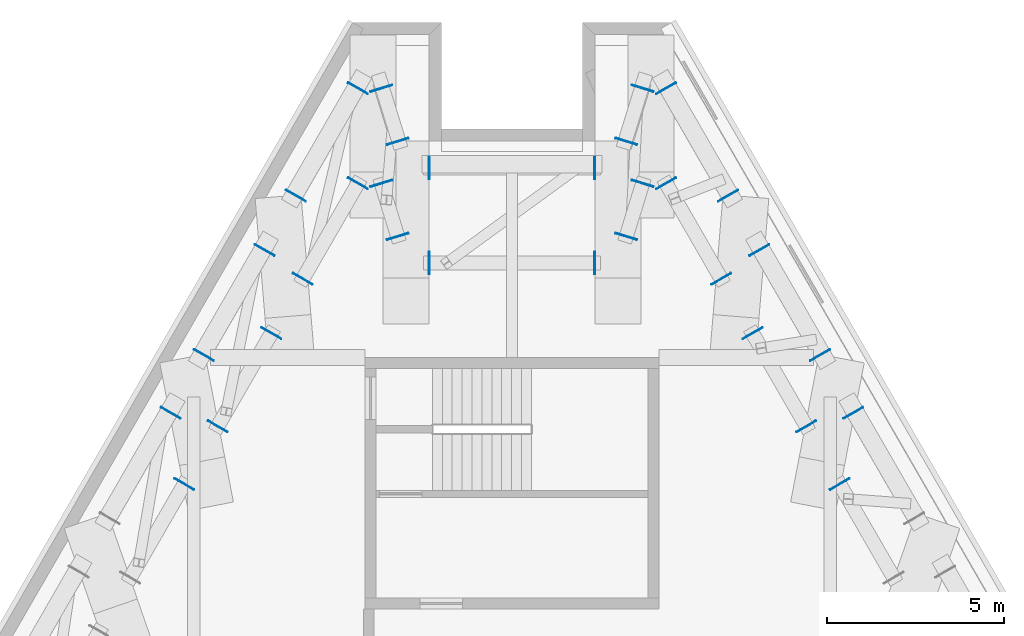
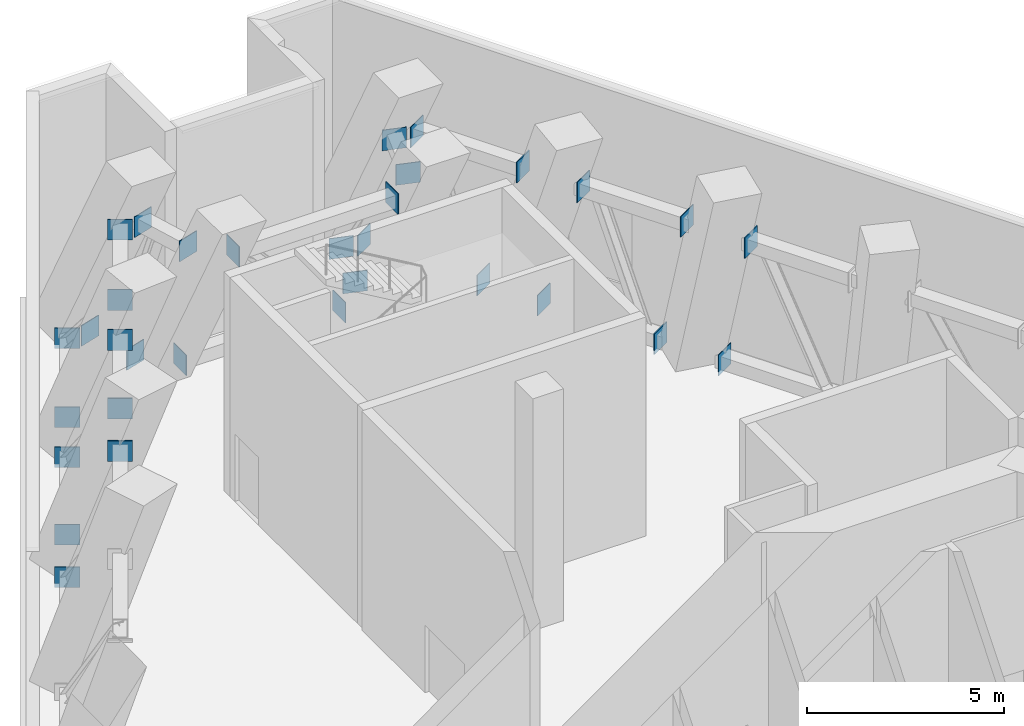
# One storey, part 12 of 13: 32 discrete accessories.
"""IFC4 building model written with IfcOpenShell, lengths in metres."""

import ifcopenshell
import ifcopenshell.guid

model = None  # the IFC model being written
_history = None  # IfcOwnerHistory: only IFC2X3 demands one
_inside = {}  # id of a spatial element -> (the spatial element, [elements in it])
_under = {}  # id of a project, library or spatial element -> (it, [spatial elements below it])
_declared = {}  # id of a project -> (the project, [libraries it declares])
_typed = {}  # id of a type object -> (the type object, [elements of that type])
_made_of = {}  # id of a material, layer set ... -> (it, [elements and type objects made of it])


def new_model(schema):
    """Start an empty IFC model of exactly this schema.

    Asked for "IFC4X3", IfcOpenShell would pick the latest addendum, in which some entities
    have other attributes; the version numbers below select the first issue.
    IFC2X3 requires an IfcOwnerHistory on every rooted entity: one is made here for all.
    """
    global model, _history
    if schema == "IFC4X3":
        model = ifcopenshell.file(schema_version=(4, 3, 0, 0))
    else:
        model = ifcopenshell.file(schema=schema)
    _inside.clear()
    _under.clear()
    _declared.clear()
    _typed.clear()
    _made_of.clear()
    _history = None
    if model.schema == "IFC2X3":
        org = make("IfcOrganization", Name="unknown")
        user = make(
            "IfcPersonAndOrganization",
            ThePerson=make("IfcPerson", FamilyName="unknown"),
            TheOrganization=org,
        )
        app = make(
            "IfcApplication",
            ApplicationDeveloper=org,
            Version="unknown",
            ApplicationFullName="unknown",
            ApplicationIdentifier="unknown",
        )
        _history = make(
            "IfcOwnerHistory",
            OwningUser=user,
            OwningApplication=app,
            ChangeAction="ADDED",
            CreationDate=0,
        )
    return model


def make(cls, **values):
    """One entity of the class cls with the attributes given. An attribute that is None is left unset."""
    return model.create_entity(
        cls, **{name: value for name, value in values.items() if value is not None}
    )


def rooted(cls, **values):
    """An entity with a GlobalId (a new one), such as an element, a storey or a relation."""
    return make(cls, GlobalId=ifcopenshell.guid.new(), OwnerHistory=_history, **values)


def si_unit(unit_type, name, prefix=None):
    """IfcSIUnit, for example si_unit("LENGTHUNIT", "METRE", prefix="MILLI")."""
    return make("IfcSIUnit", UnitType=unit_type, Prefix=prefix, Name=name)


def assignment(units):
    """IfcUnitAssignment: the units of a project."""
    return None if units is None else make("IfcUnitAssignment", Units=units)


def point(xyz):
    """IfcCartesianPoint."""
    return None if xyz is None else make("IfcCartesianPoint", Coordinates=xyz)


def direction(xyz):
    """IfcDirection."""
    return None if xyz is None else make("IfcDirection", DirectionRatios=xyz)


def frame(location, z_axis=None, x_axis=None):
    """IfcAxis2Placement3D, a coordinate frame: its origin and axes. An axis left out is left unset."""
    return make(
        "IfcAxis2Placement3D",
        Location=point(location),
        Axis=direction(z_axis),
        RefDirection=direction(x_axis),
    )


def frame_2d(location, x_axis=None):
    """IfcAxis2Placement2D, a coordinate frame in the plane: its origin and x axis."""
    return make(
        "IfcAxis2Placement2D", Location=point(location), RefDirection=direction(x_axis)
    )


def origin():
    """The frame at (0, 0, 0) with its axes left unset."""
    return frame((0.0, 0.0, 0.0))


def origin_2d():
    """The frame at (0, 0) in the plane with its x axis left unset."""
    return frame_2d((0.0, 0.0))


def place(relative_to, where):
    """IfcLocalPlacement: puts the frame where relative to a parent placement (None: the world)."""
    return make(
        "IfcLocalPlacement", PlacementRelTo=relative_to, RelativePlacement=where
    )


def context(
    kind, dimensions, precision=None, world=None, true_north=None, identifier=None
):
    """IfcGeometricRepresentationContext, for example the 3D "Model" context."""
    return make(
        "IfcGeometricRepresentationContext",
        ContextIdentifier=identifier,
        ContextType=kind,
        CoordinateSpaceDimension=dimensions,
        Precision=precision,
        WorldCoordinateSystem=world,
        TrueNorth=true_north,
    )


def subcontext(parent, identifier, kind, view, scale=None):
    """IfcGeometricRepresentationSubContext, for example "Body" below "Model"."""
    return make(
        "IfcGeometricRepresentationSubContext",
        ContextIdentifier=identifier,
        ContextType=kind,
        ParentContext=parent,
        TargetScale=scale,
        TargetView=view,
    )


def project(units=None, contexts=None):
    """IfcProject with its units and contexts."""
    return rooted(
        "IfcProject",
        Name="project",
        RepresentationContexts=contexts,
        UnitsInContext=assignment(units),
    )


def spatial(cls, under=None, at=None, **own):
    """A site, building, storey or space (cls), placed at a placement, below another one or the project."""
    s = rooted(cls, ObjectPlacement=at, **own)
    if under is not None:
        _under.setdefault(under.id(), (under, []))[1].append(s)
    return s


def profile(cls, at=None, kind="AREA", **sizes):
    """A parametric profile (cls). Its sizes go by their IFC names, for example OverallWidth=200.0."""
    return make(cls, ProfileType=kind, Position=at, **sizes)


def rectangle(**sizes):
    """IfcRectangleProfileDef."""
    return profile("IfcRectangleProfileDef", **sizes)


def extrude(swept, where, along, depth):
    """IfcExtrudedAreaSolid: the profile swept, set in the frame where, extruded along a direction by depth."""
    return make(
        "IfcExtrudedAreaSolid",
        SweptArea=swept,
        Position=where,
        ExtrudedDirection=direction(along),
        Depth=depth,
    )


def shape(context_of_items, identifier, shape_type, items):
    """IfcShapeRepresentation: the items that make up one representation, for example the "Body"."""
    return make(
        "IfcShapeRepresentation",
        ContextOfItems=context_of_items,
        RepresentationIdentifier=identifier,
        RepresentationType=shape_type,
        Items=items,
    )


def material(Name=None, Category=None):
    """IfcMaterial."""
    return make("IfcMaterial", Name=Name, Category=Category)


def layer(
    of_material, thickness, ventilated=None, Name=None, Category=None, Priority=None
):
    """IfcMaterialLayer: one layer of a wall or slab, of a material (None: an air gap)."""
    return make(
        "IfcMaterialLayer",
        Material=of_material,
        LayerThickness=thickness,
        IsVentilated=ventilated,
        Name=Name,
        Category=Category,
        Priority=Priority,
    )


def layer_set(layers, Name=None):
    """IfcMaterialLayerSet."""
    return make("IfcMaterialLayerSet", MaterialLayers=layers, LayerSetName=Name)


def made_of(thing, what):
    """Note that an element or type object is made of a material, layer set ...; save() writes the relation."""
    if what is not None:
        _made_of.setdefault(what.id(), (what, []))[1].append(thing)
    return thing


def type_object(cls, material=None, **own):
    """A type object (cls), such as IfcWallType, which elements share."""
    return made_of(rooted(cls, **own), material)


def element(
    cls,
    number,
    at=None,
    inside=None,
    cuts=None,
    type_object=None,
    material=None,
    context=None,
    identifier="Body",
    shape_type=None,
    held_by="IfcProductDefinitionShape",
    body=None,
    shapes=None,
    **own,
):
    """One element of the class cls, such as IfcWall. Its Tag is "e" and its number.

    at: its placement. inside: the storey or other place that contains it. cuts: it is an
    opening in that element (IfcRelVoidsElement). A single representation is given by context,
    identifier, shape_type and body (its items); several are given by shapes. held_by: the class
    of the entity that holds the representations. save() writes the other relations.
    """
    e = rooted(cls, Tag="e%d" % number, ObjectPlacement=at, **own)
    if body is not None:
        shapes = [shape(context, identifier, shape_type, body)]
    if shapes is not None:
        e.Representation = make(held_by, Representations=shapes)
    if inside is not None:
        _inside.setdefault(inside.id(), (inside, []))[1].append(e)
    if cuts is not None:
        rooted(
            "IfcRelVoidsElement", RelatingBuildingElement=cuts, RelatedOpeningElement=e
        )
    if type_object is not None:
        _typed.setdefault(type_object.id(), (type_object, []))[1].append(e)
    return made_of(e, material)


def aggregate(whole, parts):
    """IfcRelAggregates: a whole, such as a stair, and the parts it consists of."""
    return rooted("IfcRelAggregates", RelatingObject=whole, RelatedObjects=parts)


def save(model, path):
    """Write the relations noted so far, then the file.

    IfcRelAggregates (storeys below a building ...), IfcRelContainedInSpatialStructure (elements
    in a storey), IfcRelDefinesByType, IfcRelAssociatesMaterial and IfcRelDeclares: one each for
    every whole, place, type object, material and project.
    """
    for whole, parts in _under.values():
        aggregate(whole, parts)
    for where, things in _inside.values():
        rooted(
            "IfcRelContainedInSpatialStructure",
            RelatedElements=things,
            RelatingStructure=where,
        )
    for kind, things in _typed.values():
        rooted("IfcRelDefinesByType", RelatedObjects=things, RelatingType=kind)
    for what, things in _made_of.values():
        rooted("IfcRelAssociatesMaterial", RelatedObjects=things, RelatingMaterial=what)
    for by, libraries in _declared.values():
        rooted("IfcRelDeclares", RelatingContext=by, RelatedDefinitions=libraries)
    model.write(path)


model = new_model("IFC4")

# Units and contexts
model_context = context("Model", 3, precision=1e-05, world=origin(), true_north=direction((0.0, 1.0)))
body_context = subcontext(model_context, "Body", "Model", "MODEL_VIEW")
ifc_project = project(units=[si_unit("LENGTHUNIT", "METRE"), si_unit("AREAUNIT", "SQUARE_METRE"), si_unit("VOLUMEUNIT", "CUBIC_METRE"), si_unit("PLANEANGLEUNIT", "RADIAN"), si_unit("MASSUNIT", "GRAM", prefix="KILO")], contexts=[model_context])

# Site, building, storey
site_placement = place(None, origin())
site = spatial("IfcSite", under=ifc_project, at=site_placement, CompositionType="ELEMENT")
building_placement = place(site_placement, origin())
building = spatial("IfcBuilding", under=site, at=building_placement, Name="Fogline Exchange Tower", CompositionType="ELEMENT")
storey_placement = place(building_placement, frame((0.0, 0.0, 259.5)))
storey = spatial("IfcBuildingStorey", under=building, at=storey_placement, Name="L59", CompositionType="ELEMENT", Elevation=259.5)

# Discrete accessories
ifc_material = material(Name="Steel Q355B", Category="steel")
ifc_layer = layer(ifc_material, 0.02490234375)
ifc_layer_set = layer_set([ifc_layer], Name="BE03")
discrete_accessory_type = type_object("IfcDiscreteAccessoryType", Name="BE03", PredefinedType="USERDEFINED", material=ifc_layer_set)
for number, where, z_axis, x_axis, name in (
    (1, (9.651123046875, 34.297119140625, -0.1201171875), (0.0, 0.0, 1.0), (-0.5, 0.866025403784, 0.0), "Belt truss chord end plate BT13-1-BC"),
    (2, (9.26318359375, 32.281494140625, 4.8798828125), (0.0, 0.0, 1.0), (-0.5, 0.866025403784, 0.0), "Belt truss chord end plate BT13-1-TC"),
    (3, (8.708984375, 35.9287109375, -0.1201171875), (0.0, 0.0, 1.0), (0.5, -0.866025403784, 0.0), "Belt truss chord end plate BT14-1-BC"),
    (4, (6.994873046875, 38.89794921875, -0.1201171875), (0.0, 0.0, 1.0), (-0.5, 0.866025403784, 0.0), "Belt truss chord end plate BT14-1-BC"),
    (5, (8.3212890625, 33.9130859375, 4.8798828125), (0.0, 0.0, 1.0), (0.5, -0.866025403784, 0.0), "Belt truss chord end plate BT14-1-TC"),
    (6, (6.80078125, 36.54638671875, 4.8798828125), (0.0, 0.0, 1.0), (-0.5, 0.866025403784, 0.0), "Belt truss chord end plate BT14-1-TC"),
    (7, (6.10791015625, 40.43408203125, -0.1201171875), (0.0, 0.0, 1.0), (0.5, -0.866025403784, 0.0), "Belt truss chord end plate BT15-1-BC"),
    (8, (4.35498046875, 43.470458984375, -0.1201171875), (0.0, 0.0, 1.0), (-0.5, 0.866025403784, 0.0), "Belt truss chord end plate BT15-1-BC"),
    (9, (5.9140625, 38.08251953125, 4.8798828125), (0.0, 0.0, 1.0), (0.5, -0.866025403784, 0.0), "Belt truss chord end plate BT15-1-TC"),
    (10, (4.35498046875, 40.782958984375, 4.8798828125), (0.0, 0.0, 1.0), (-0.5, 0.866025403784, 0.0), "Belt truss chord end plate BT15-1-TC"),
    (11, (3.69189453125, 43.46923828125, -0.1201171875), (0.0, 0.0, 1.0), (0.293961920088, 0.95581713185, 0.0), "Belt truss chord end plate BT16-1-BC"),
    (12, (3.230712890625, 41.968994140625, -0.1201171875), (0.0, 0.0, 1.0), (-0.293961920088, -0.95581713185, 0.0), "Belt truss chord end plate BT16-1-BC"),
    (13, (3.69189453125, 40.78173828125, 4.8798828125), (0.0, 0.0, 1.0), (0.293961920088, 0.95581713185, 0.0), "Belt truss chord end plate BT16-1-TC"),
    (14, (3.230712890625, 39.281494140625, 4.8798828125), (0.0, 0.0, 1.0), (-0.293961920088, -0.95581713185, 0.0), "Belt truss chord end plate BT16-1-TC"),
    (15, (2.33740234375, 41.21923828125, -0.1201171875), (0.0, 0.0, 1.0), (1.0, 0.0, 0.0), "Belt truss chord end plate BT17-1-BC"),
    (16, (-2.33740234375, 41.21923828125, -0.1201171875), (0.0, 0.0, 1.0), (-1.0, 0.0, 0.0), "Belt truss chord end plate BT17-1-BC"),
    (17, (2.33740234375, 38.53173828125, 4.8798828125), (0.0, 0.0, 1.0), (1.0, 0.0, 0.0), "Belt truss chord end plate BT17-1-TC"),
    (18, (-2.33740234375, 38.53173828125, 4.8798828125), (0.0, 0.0, 1.0), (-1.0, 0.0, 0.0), "Belt truss chord end plate BT17-1-TC"),
    (19, (-3.230712890625, 41.968994140625, -0.1201171875), (0.0, 0.0, 1.0), (0.293961920088, -0.95581713185, 0.0), "Belt truss chord end plate BT18-1-BC"),
    (20, (-3.69189453125, 43.46923828125, -0.1201171875), (0.0, 0.0, 1.0), (-0.293961920088, 0.95581713185, 0.0), "Belt truss chord end plate BT18-1-BC"),
    (21, (-3.230712890625, 39.281494140625, 4.8798828125), (0.0, 0.0, 1.0), (0.293961920088, -0.95581713185, 0.0), "Belt truss chord end plate BT18-1-TC"),
    (22, (-3.69189453125, 40.78173828125, 4.8798828125), (0.0, 0.0, 1.0), (-0.293961920088, 0.95581713185, 0.0), "Belt truss chord end plate BT18-1-TC"),
    (23, (-4.35498046875, 43.470458984375, -0.1201171875), (0.0, 0.0, 1.0), (0.5, 0.866025403784, 0.0), "Belt truss chord end plate BT19-1-BC"),
    (24, (-6.10791015625, 40.43408203125, -0.1201171875), (0.0, 0.0, 1.0), (-0.5, -0.866025403784, 0.0), "Belt truss chord end plate BT19-1-BC"),
    (25, (-4.35498046875, 40.782958984375, 4.8798828125), (0.0, 0.0, 1.0), (0.5, 0.866025403784, 0.0), "Belt truss chord end plate BT19-1-TC"),
    (26, (-5.9140625, 38.08251953125, 4.8798828125), (0.0, 0.0, 1.0), (-0.5, -0.866025403784, 0.0), "Belt truss chord end plate BT19-1-TC"),
    (27, (-6.994873046875, 38.89794921875, -0.1201171875), (0.0, 0.0, 1.0), (0.5, 0.866025403784, 0.0), "Belt truss chord end plate BT20-1-BC"),
    (28, (-8.708984375, 35.9287109375, -0.1201171875), (0.0, 0.0, 1.0), (-0.5, -0.866025403784, 0.0), "Belt truss chord end plate BT20-1-BC"),
    (29, (-6.80078125, 36.54638671875, 4.8798828125), (0.0, 0.0, 1.0), (0.5, 0.866025403784, 0.0), "Belt truss chord end plate BT20-1-TC"),
    (30, (-8.3212890625, 33.9130859375, 4.8798828125), (0.0, 0.0, 1.0), (-0.5, -0.866025403784, 0.0), "Belt truss chord end plate BT20-1-TC"),
    (31, (-9.651123046875, 34.297119140625, -0.1201171875), (0.0, 0.0, 1.0), (0.5, 0.866025403784, 0.0), "Belt truss chord end plate BT21-1-BC"),
    (32, (-9.26318359375, 32.281494140625, 4.8798828125), (0.0, 0.0, 1.0), (0.5, 0.866025403784, 0.0), "Belt truss chord end plate BT21-1-TC"),
):
    element("IfcDiscreteAccessory", number, at=place(storey_placement, frame(where, z_axis=z_axis, x_axis=x_axis)), inside=storey, type_object=discrete_accessory_type, Name=name, ObjectType="END PLATE", PredefinedType="USERDEFINED", context=body_context, shape_type="SweptSolid", body=[
        extrude(rectangle(XDim=0.02490234375, YDim=0.639892578125, at=origin_2d()), origin(), (0.0, 0.0, 1.0), 0.639892578125),
    ])

save(model, "model.ifc")
